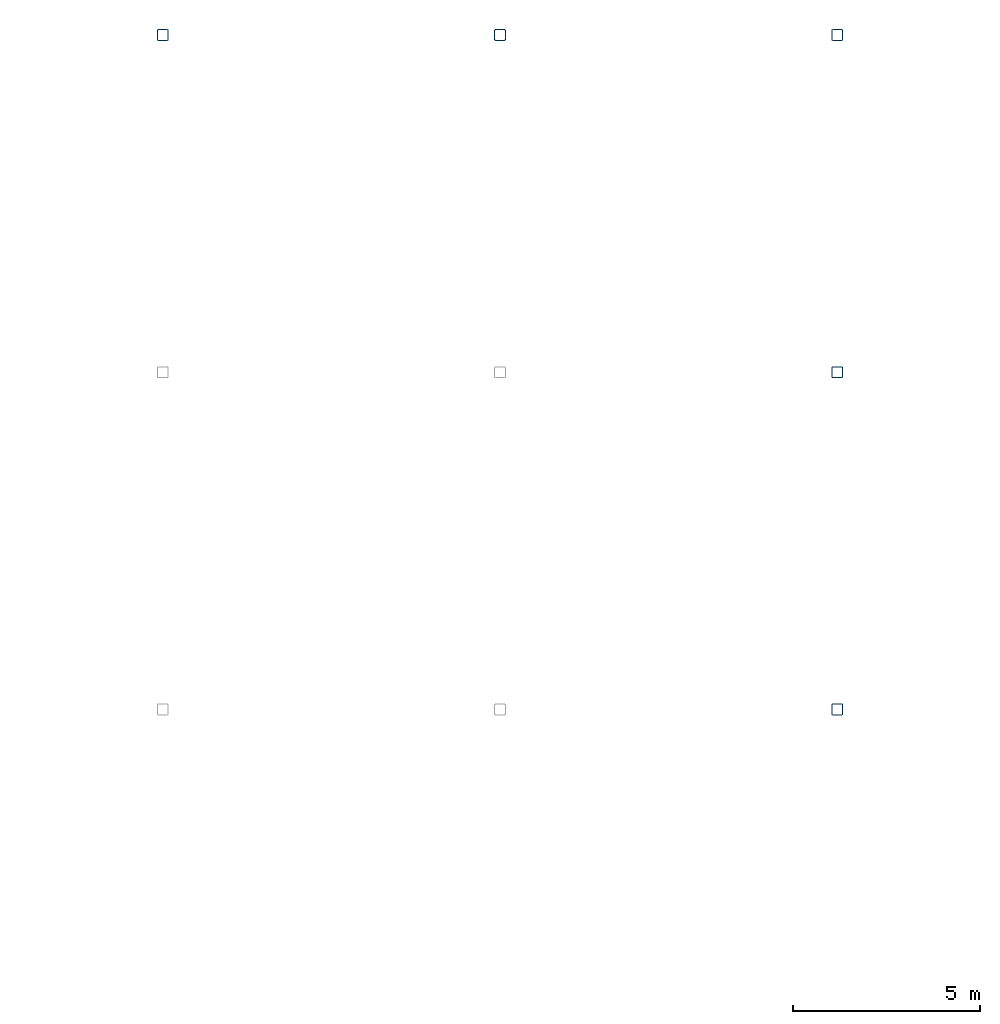
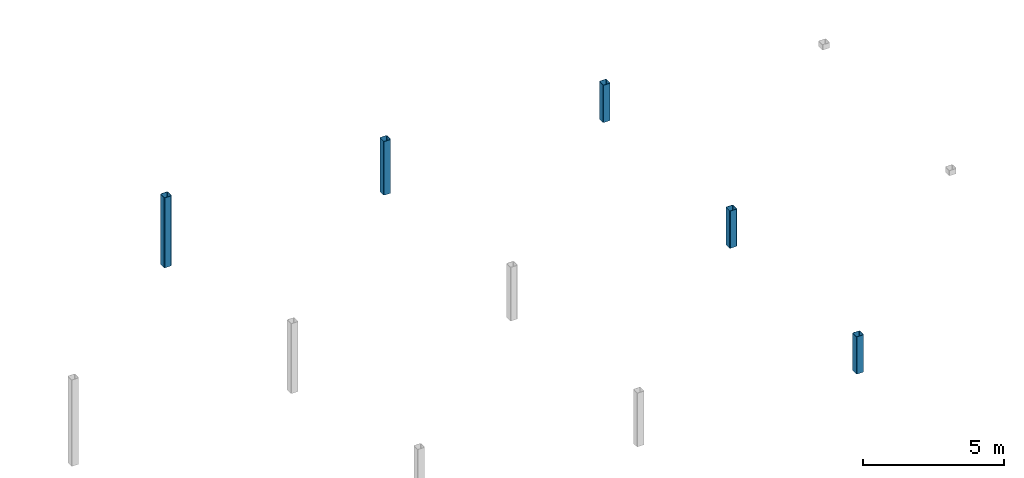
# One storey, part 10 of 15: 5 columns.
"""IFC4 building model written with IfcOpenShell, lengths in metres."""

from ifc_helpers import new_model, si_unit, direction, frame, origin, origin_2d, place, context, subcontext, project, spatial, hollow_rectangle, extrude, material, material_profile, profile_set, type_object, element, save


model = new_model("IFC4")

# Units and contexts
model_context = context("Model", 3, precision=1e-05, world=origin(), true_north=direction((0.0, 1.0)))
body_context = subcontext(model_context, "Body", "Model", "MODEL_VIEW")
ifc_project = project(units=[si_unit("LENGTHUNIT", "METRE"), si_unit("AREAUNIT", "SQUARE_METRE"), si_unit("VOLUMEUNIT", "CUBIC_METRE"), si_unit("PLANEANGLEUNIT", "RADIAN"), si_unit("MASSUNIT", "GRAM", prefix="KILO")], contexts=[model_context])

# Site, building, storey
site_placement = place(None, origin())
site = spatial("IfcSite", under=ifc_project, at=site_placement, CompositionType="ELEMENT")
building_placement = place(site_placement, origin())
building = spatial("IfcBuilding", under=site, at=building_placement, Name="Opaline Strait Convention Centre", CompositionType="ELEMENT")
storey_placement = place(building_placement, frame((0.0, 0.0, 20.10009765625)))
storey = spatial("IfcBuildingStorey", under=building, at=storey_placement, Name="Roof Restaurants and Business Centre", CompositionType="ELEMENT", Elevation=20.10009765625)

# Columns
ifc_material = material(Name="Steel Q355B", Category="steel")
ifc_material_profile = material_profile(ifc_material, hollow_rectangle(XDim=0.300048828125, YDim=0.300048828125, WallThickness=0.011962890625, InnerFilletRadius=0.02392578125, OuterFilletRadius=0.035888671875, at=origin_2d()), Name="RHS 300x300x12")
ifc_profile_set = profile_set([ifc_material_profile], Name="Steel Q355B")
column_type = type_object("IfcColumnType", Name="Roof post RHS 300x300x12", PredefinedType="COLUMN", material=ifc_profile_set)
column_1_placement = place(storey_placement, frame((297.0, 180.0, 0.0), z_axis=(0.0, 0.0, 1.0), x_axis=(1.0, 0.0, 0.0)))
element("IfcColumn", 1, at=column_1_placement, inside=storey, type_object=column_type, Name="MRS1 roof post at 34/W above Roof Restaurants and Business Centre", PredefinedType="COLUMN", context=body_context, shape_type="SweptSolid", body=[
    extrude(hollow_rectangle(XDim=0.300048828125, YDim=0.300048828125, WallThickness=0.011962890625, InnerFilletRadius=0.02392578125, OuterFilletRadius=0.035888671875, at=origin_2d()), origin(), (0.0, 0.0, 1.0), 3.036865234375),
])
column_2_placement = place(storey_placement, frame((306.0, 180.0, 0.0), z_axis=(0.0, 0.0, 1.0), x_axis=(1.0, 0.0, 0.0)))
element("IfcColumn", 2, at=column_2_placement, inside=storey, type_object=column_type, Name="MRS1 roof post at 35/W above Roof Restaurants and Business Centre", PredefinedType="COLUMN", context=body_context, shape_type="SweptSolid", body=[
    extrude(hollow_rectangle(XDim=0.300048828125, YDim=0.300048828125, WallThickness=0.011962890625, InnerFilletRadius=0.02392578125, OuterFilletRadius=0.035888671875, at=origin_2d()), origin(), (0.0, 0.0, 1.0), 2.32861328125),
])
for number, where, z_axis, x_axis, name in (
    (3, (315.0, 162.0, 0.0), (0.0, 0.0, 1.0), (1.0, 0.0, 0.0), "MRS1 roof post at 36/U above Roof Restaurants and Business Centre"),
    (4, (315.0, 171.0, 0.0), (0.0, 0.0, 1.0), (1.0, 0.0, 0.0), "MRS1 roof post at 36/V above Roof Restaurants and Business Centre"),
    (5, (315.0, 180.0, 0.0), (0.0, 0.0, 1.0), (1.0, 0.0, 0.0), "MRS1 roof post at 36/W above Roof Restaurants and Business Centre"),
):
    element("IfcColumn", number, at=place(storey_placement, frame(where, z_axis=z_axis, x_axis=x_axis)), inside=storey, type_object=column_type, Name=name, PredefinedType="COLUMN", context=body_context, shape_type="SweptSolid", body=[
        extrude(hollow_rectangle(XDim=0.300048828125, YDim=0.300048828125, WallThickness=0.011962890625, InnerFilletRadius=0.02392578125, OuterFilletRadius=0.035888671875, at=origin_2d()), origin(), (0.0, 0.0, 1.0), 1.6201171875),
    ])

save(model, "model.ifc")
